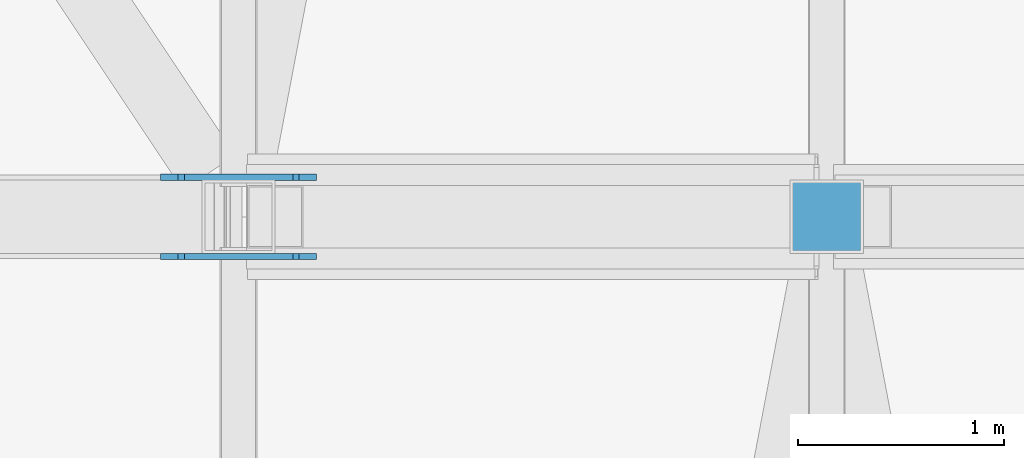
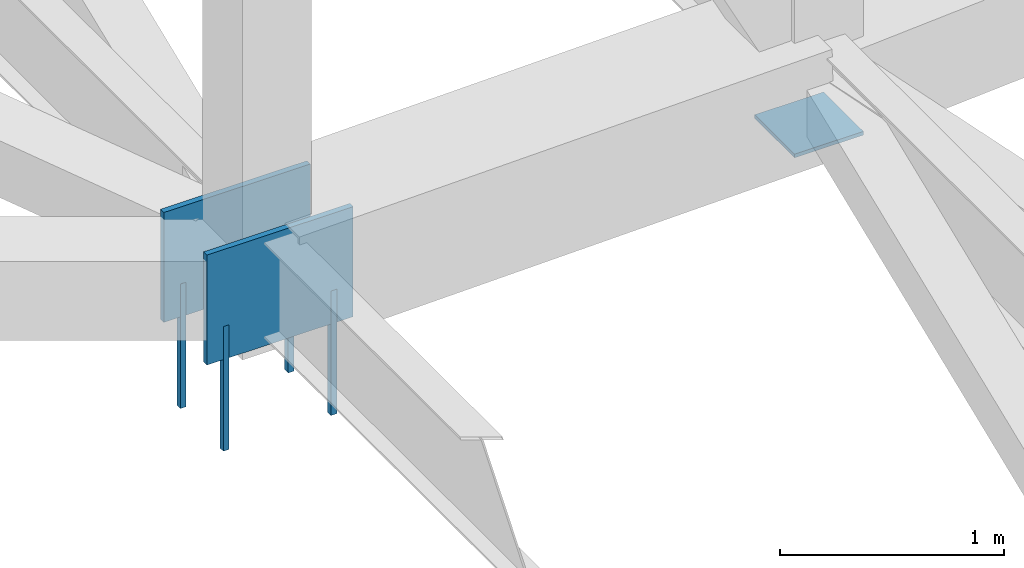
# One storey, part 168 of 278: 4 mechanical fasteners, 3 discrete accessories.
"""IFC4 building model written with IfcOpenShell, lengths in metres."""

from ifc_helpers import new_model, si_unit, direction, frame, origin, origin_2d, place, context, subcontext, project, spatial, rectangle, extrude, material, layer, layer_set, type_object, element, save


model = new_model("IFC4")

# Units and contexts
model_context = context("Model", 3, precision=1e-05, world=origin(), true_north=direction((0.0, 1.0)))
body_context = subcontext(model_context, "Body", "Model", "MODEL_VIEW")
ifc_project = project(units=[si_unit("LENGTHUNIT", "METRE"), si_unit("AREAUNIT", "SQUARE_METRE"), si_unit("VOLUMEUNIT", "CUBIC_METRE"), si_unit("PLANEANGLEUNIT", "RADIAN"), si_unit("MASSUNIT", "GRAM", prefix="KILO")], contexts=[model_context])

# Site, building, storey
site_placement = place(None, origin())
site = spatial("IfcSite", under=ifc_project, at=site_placement, CompositionType="ELEMENT")
building_placement = place(site_placement, origin())
building = spatial("IfcBuilding", under=site, at=building_placement, Name="Ogive Plaza Stadium", CompositionType="ELEMENT")
storey_placement = place(building_placement, frame((0.0, 0.0, 29.0)))
storey = spatial("IfcBuildingStorey", under=building, at=storey_placement, Name="Roof", CompositionType="ELEMENT", Elevation=29.0)

# Mechanical fasteners
ifc_material_1 = material(Name="Steel ASTM A992 Grade 50", Category="steel")
mechanical_fastener_type = type_object("IfcMechanicalFastenerType", Name="Anchor bolt M30 x 600", PredefinedType="ANCHORBOLT", material=ifc_material_1)
for number, where, z_axis, x_axis, name in (
    (1, (-74.27783203125, 22.30810546875, -0.5), (0.0, 0.0, 1.0), (-1.0, 0.0, 0.0), "ANCHOR BOLT 26 BP 1.1"),
    (2, (-73.72216796875, 22.30810546875, -0.5), (0.0, 0.0, 1.0), (-1.0, 0.0, 0.0), "ANCHOR BOLT 26 BP 1.2"),
    (3, (-74.27783203125, 22.69189453125, -0.5), (0.0, 0.0, 1.0), (-1.0, 0.0, 0.0), "ANCHOR BOLT 26 BP 2.1"),
    (4, (-73.72216796875, 22.69189453125, -0.5), (0.0, 0.0, 1.0), (-1.0, 0.0, 0.0), "ANCHOR BOLT 26 BP 2.2"),
):
    element("IfcMechanicalFastener", number, at=place(storey_placement, frame(where, z_axis=z_axis, x_axis=x_axis)), inside=storey, type_object=mechanical_fastener_type, Name=name, PredefinedType="ANCHORBOLT", context=body_context, shape_type="SweptSolid", body=[
        extrude(rectangle(XDim=0.030029296875, YDim=0.030029296875, at=origin_2d()), origin(), (0.0, 0.0, 1.0), 0.679931640625),
    ])

# Discrete accessories
ifc_material_2 = material(Name="Steel ASTM A992 Grade 50", Category="steel")
ifc_layer_1 = layer(ifc_material_2, 0.02001953125)
ifc_layer_set_1 = layer_set([ifc_layer_1], Name="Steel ASTM A992 Grade 50")
discrete_accessory_type_1 = type_object("IfcDiscreteAccessoryType", Name="Roof truss post cap plate 20", PredefinedType="ANCHORPLATE", material=ifc_layer_set_1)
discrete_accessory_placement = place(storey_placement, frame((-71.14990234375, 22.5, 0.04541015625), z_axis=(0.0, 0.0, 1.0), x_axis=(-1.0, 0.0, 0.0)))
element("IfcDiscreteAccessory", 5, at=discrete_accessory_placement, inside=storey, type_object=discrete_accessory_type_1, Name="ROOF TRUSS POST CAP PLATE 26 10", PredefinedType="ANCHORPLATE", context=body_context, shape_type="SweptSolid", body=[
    extrude(rectangle(XDim=0.355712890625, YDim=0.355712890625, at=origin_2d()), origin(), (0.0, 0.0, 1.0), 0.02001953125),
])
ifc_material_3 = material(Name="Steel ASTM A992 Grade 50", Category="steel")
ifc_layer_2 = layer(ifc_material_3, 0.030029296875)
ifc_layer_set_2 = layer_set([ifc_layer_2], Name="Steel ASTM A992 Grade 50")
discrete_accessory_type_2 = type_object("IfcDiscreteAccessoryType", Name="Truss root foot cleat plate 30", PredefinedType="ANCHORPLATE", material=ifc_layer_set_2)
for number, where, z_axis, x_axis, name in (
    (6, (-74.0, 22.30810546875, 0.0), (0.0, 0.0, 1.0), (-1.0, 0.0, 0.0), "TRUSS ROOT FOOT CLEAT PLATE 26 1"),
    (7, (-74.0, 22.69189453125, 0.0), (0.0, 0.0, 1.0), (-1.0, 0.0, 0.0), "TRUSS ROOT FOOT CLEAT PLATE 26 2"),
):
    element("IfcDiscreteAccessory", number, at=place(storey_placement, frame(where, z_axis=z_axis, x_axis=x_axis)), inside=storey, type_object=discrete_accessory_type_2, Name=name, PredefinedType="ANCHORPLATE", context=body_context, shape_type="SweptSolid", body=[
        extrude(rectangle(XDim=0.755615234375, YDim=0.030029296875, at=origin_2d()), origin(), (0.0, 0.0, 1.0), 0.60009765625),
    ])

save(model, "model.ifc")
